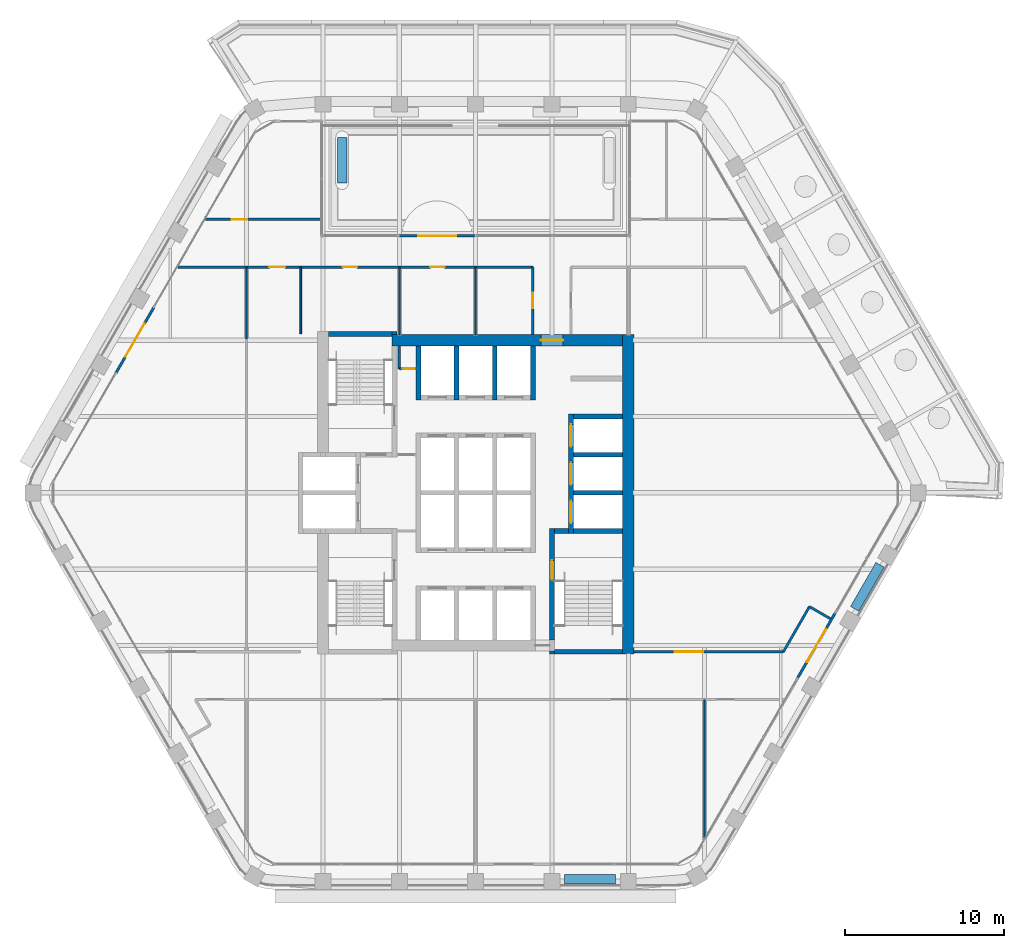
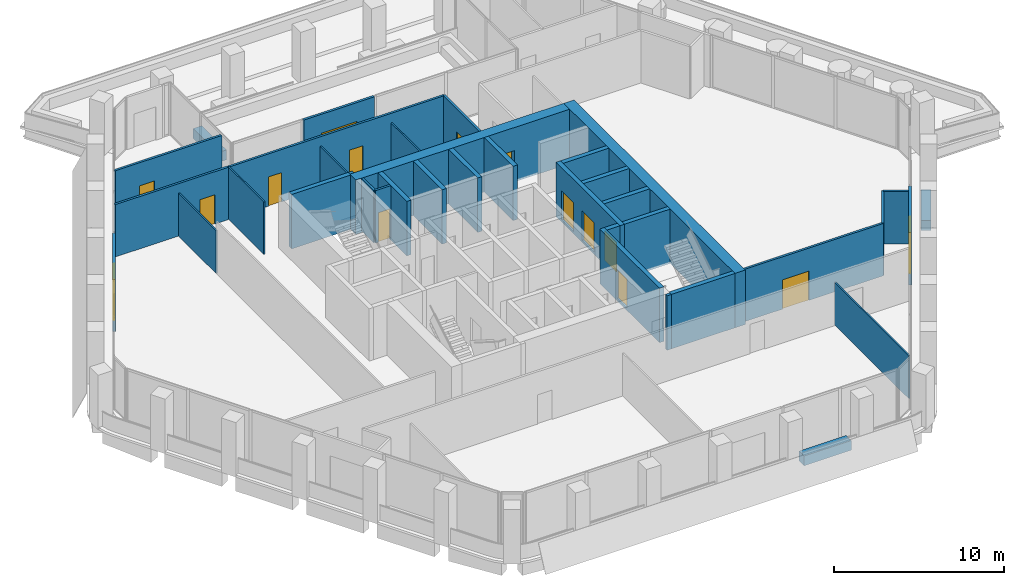
# One storey, part 13 of 17: 36 walls, 15 doors, 15 openings.
"""IFC4 building model written with IfcOpenShell, lengths in metres."""

from ifc_helpers import new_model, si_unit, direction, frame, frame_2d, origin, place, context, subcontext, project, spatial, rectangle, extrude, material, layer, layer_set, type_object, element, fill, save


model = new_model("IFC4")

# Units and contexts
model_context = context("Model", 3, precision=1e-05, world=origin(), true_north=direction((0.0, 1.0)))
body_context = subcontext(model_context, "Body", "Model", "MODEL_VIEW")
ifc_project = project(units=[si_unit("LENGTHUNIT", "METRE"), si_unit("AREAUNIT", "SQUARE_METRE"), si_unit("VOLUMEUNIT", "CUBIC_METRE"), si_unit("PLANEANGLEUNIT", "RADIAN"), si_unit("MASSUNIT", "GRAM", prefix="KILO")], contexts=[model_context])

# Site, building, storey
site_placement = place(None, origin())
site = spatial("IfcSite", under=ifc_project, at=site_placement, CompositionType="ELEMENT")
building_placement = place(site_placement, origin())
building = spatial("IfcBuilding", under=site, at=building_placement, Name="Kolab Exchange Tower", CompositionType="ELEMENT")
storey_placement = place(building_placement, frame((0.0, 0.0, 166.10009765625)))
storey = spatial("IfcBuildingStorey", under=building, at=storey_placement, Name="L34", CompositionType="ELEMENT", Elevation=166.10009765625)

# Wall, opening, door
ifc_material_1 = material(Name="Concrete C60/75", Category="concrete")
ifc_layer_1 = layer(ifc_material_1, 0.699951171875)
ifc_layer_set_1 = layer_set([ifc_layer_1], Name="Concrete C60/75")
wall_type_1 = type_object("IfcWallType", Name="CORE WALL 700 C60/75", PredefinedType="SHEAR", material=ifc_layer_set_1)
wall_1_placement = place(storey_placement, frame((-5.25, 9.60009765625, -0.150146484375), z_axis=(0.0, 0.0, 1.0), x_axis=(1.0, 0.0, 0.0)))
wall_1 = element("IfcWall", 1, at=wall_1_placement, inside=storey, type_object=wall_type_1, Name="wall/L34/core/031", PredefinedType="SHEAR", context=body_context, shape_type="SweptSolid", body=[
    extrude(rectangle(XDim=14.5, YDim=0.699951171875, at=frame_2d((7.25, 0.0))), origin(), (0.0, 0.0, 1.0), 3.900146484375),
])
opening_1_placement = place(wall_1_placement, frame((9.35009765625, 0.0, 0.14990234375)))
opening_1 = element("IfcOpeningElement", 2, at=opening_1_placement, cuts=wall_1, Name="Opening D5-010", PredefinedType="OPENING", context=body_context, shape_type="SweptSolid", body=[
    extrude(rectangle(XDim=1.39990234375, YDim=2.10009765625, at=frame_2d((0.699951171875, 1.050048828125))), frame((0.0, 0.35986328125, 0.0), z_axis=(0.0, -1.0, 0.0), x_axis=(1.0, 0.0, 0.0)), (0.0, 0.0, 1.0), 0.719970703125),
])
ifc_material_2 = material(Name="Steel S235", Category="steel")
door_type_1 = type_object("IfcDoorType", Name="CORE DOOR 1400 EI 120", OperationType="DOUBLE_DOOR_SINGLE_SWING", PredefinedType="DOOR", material=ifc_material_2)
door_1_placement = place(opening_1_placement, frame((1.39990234375, 0.0, 0.0), z_axis=(0.0, 0.0, 1.0), x_axis=(-1.0, 0.0, 0.0)))
door_1 = element("IfcDoor", 3, at=door_1_placement, inside=storey, type_object=door_type_1, Name="Core lobby door", OperationType="SINGLE_SWING_LEFT", OverallHeight=2.10009765625, OverallWidth=1.39990234375, PredefinedType="DOOR", context=body_context, shape_type="SweptSolid", body=[
    extrude(rectangle(XDim=1.39990234375, YDim=2.10009765625, at=frame_2d((0.699951171875, 1.050048828125))), frame((0.0, 0.02490234375, 0.0), z_axis=(0.0, -1.0, 0.0), x_axis=(1.0, 0.0, 0.0)), (0.0, 0.0, 1.0), 0.050048828125),
])
fill(opening_1, door_1)

# Wall
wall_2_placement = place(storey_placement, frame((9.60009765625, -10.14990234375, -0.150146484375), z_axis=(0.0, 0.0, 1.0), x_axis=(0.0, 1.0, 0.0)))
element("IfcWall", 4, at=wall_2_placement, inside=storey, type_object=wall_type_1, Name="wall/L34/core/058", PredefinedType="SHEAR", context=body_context, shape_type="SweptSolid", body=[
    extrude(rectangle(XDim=20.099853515625, YDim=0.699951171875, at=frame_2d((10.0498046875, 0.0))), origin(), (0.0, 0.0, 1.0), 3.900146484375),
])

# Wall, opening, door
ifc_material_3 = material(Name="Aluminium EN AW-6063 T6", Category="aluminium")
ifc_layer_2 = layer(ifc_material_3, 0.159912109375)
ifc_layer_set_2 = layer_set([ifc_layer_2], Name="Aluminium EN AW-6063 T6")
wall_type_2 = type_object("IfcWallType", Name="DOOR SURROUND WALL 160 ALUMINIUM FRAMED", PredefinedType="PARTITIONING", material=ifc_layer_set_2)
wall_3_placement = place(storey_placement, frame((-4.81005859375, 16.16162109375, 0.0), z_axis=(0.0, 0.0, 1.0), x_axis=(1.0, 0.0, 0.0)))
wall_3 = element("IfcWall", 5, at=wall_3_placement, inside=storey, type_object=wall_type_2, Name="Door surround wall", PredefinedType="PARTITIONING", context=body_context, shape_type="SweptSolid", body=[
    extrude(rectangle(XDim=4.780029296875, YDim=0.159912109375, at=frame_2d((2.39013671875, 0.0))), origin(), (0.0, 0.0, 1.0), 3.75),
])
opening_2_placement = place(wall_3_placement, frame((1.18994140625, 0.0, 0.0)))
opening_2 = element("IfcOpeningElement", 6, at=opening_2_placement, cuts=wall_3, Name="Opening GD1-079", PredefinedType="OPENING", context=body_context, shape_type="SweptSolid", body=[
    extrude(rectangle(XDim=2.39990234375, YDim=2.39990234375, at=frame_2d((1.199951171875, 1.199951171875))), frame((0.0, 0.08984375, 0.0), z_axis=(0.0, -1.0, 0.0), x_axis=(1.0, 0.0, 0.0)), (0.0, 0.0, 1.0), 0.179931640625),
])
door_type_2 = type_object("IfcDoorType", Name="LOGGIA SLIDING GLASS DOOR 2400 X 2400", OperationType="DOUBLE_DOOR_SINGLE_SWING", PredefinedType="DOOR", material=ifc_material_3)
door_2_placement = place(opening_2_placement, origin())
door_2 = element("IfcDoor", 7, at=door_2_placement, inside=storey, type_object=door_type_2, Name="Loggia door", OperationType="DOUBLE_DOOR_SLIDING", OverallHeight=2.39990234375, OverallWidth=2.39990234375, PredefinedType="DOOR", context=body_context, shape_type="SweptSolid", body=[
    extrude(rectangle(XDim=2.39990234375, YDim=2.39990234375, at=frame_2d((1.199951171875, 1.199951171875))), frame((0.0, 0.02490234375, 0.0), z_axis=(0.0, -1.0, 0.0), x_axis=(1.0, 0.0, 0.0)), (0.0, 0.0, 1.0), 0.050048828125),
])
fill(opening_2, door_2)

wall_4_placement = place(storey_placement, frame((22.61669921875, -7.5498046875, 0.0), z_axis=(0.0, 0.0, 1.0), x_axis=(-0.5000167099, -0.866015756104, 0.0)))
wall_4 = element("IfcWall", 8, at=wall_4_placement, inside=storey, type_object=wall_type_2, Name="Door surround wall", PredefinedType="PARTITIONING", context=body_context, shape_type="SweptSolid", body=[
    extrude(rectangle(XDim=4.739990234375, YDim=0.159912109375, at=frame_2d((2.3701171875, 0.0))), origin(), (0.0, 0.0, 1.0), 3.75),
])
opening_3_placement = place(wall_4_placement, frame((1.169921875, 0.0, 0.0)))
opening_3 = element("IfcOpeningElement", 9, at=opening_3_placement, cuts=wall_4, Name="Opening GD1-066", PredefinedType="OPENING", context=body_context, shape_type="SweptSolid", body=[
    extrude(rectangle(XDim=2.39990234375, YDim=2.39990234375, at=frame_2d((1.199951171875, 1.199951171875))), frame((0.0, 0.08984375, 0.0), z_axis=(0.0, -1.0, 0.0), x_axis=(1.0, 0.0, 0.0)), (0.0, 0.0, 1.0), 0.179931640625),
])
door_3_placement = place(opening_3_placement, origin())
door_3 = element("IfcDoor", 10, at=door_3_placement, inside=storey, type_object=door_type_2, Name="Loggia door", OperationType="DOUBLE_DOOR_SLIDING", OverallHeight=2.39990234375, OverallWidth=2.39990234375, PredefinedType="DOOR", context=body_context, shape_type="SweptSolid", body=[
    extrude(rectangle(XDim=2.39990234375, YDim=2.39990234375, at=frame_2d((1.199951171875, 1.199951171875))), frame((0.0, 0.02490234375, 0.0), z_axis=(0.0, -1.0, 0.0), x_axis=(1.0, 0.0, 0.0)), (0.0, 0.0, 1.0), 0.050048828125),
])
fill(opening_3, door_3)

wall_5_placement = place(storey_placement, frame((-22.61669921875, 7.5498046875, 0.0), z_axis=(0.0, 0.0, 1.0), x_axis=(0.5000167099, 0.866015756104, 0.0)))
wall_5 = element("IfcWall", 11, at=wall_5_placement, inside=storey, type_object=wall_type_2, Name="Door surround wall", PredefinedType="PARTITIONING", context=body_context, shape_type="SweptSolid", body=[
    extrude(rectangle(XDim=4.739990234375, YDim=0.159912109375, at=frame_2d((2.3701171875, 0.0))), origin(), (0.0, 0.0, 1.0), 3.75),
])
opening_4_placement = place(wall_5_placement, frame((1.169921875, 0.0, 0.0)))
opening_4 = element("IfcOpeningElement", 12, at=opening_4_placement, cuts=wall_5, Name="Opening GD1-069", PredefinedType="OPENING", context=body_context, shape_type="SweptSolid", body=[
    extrude(rectangle(XDim=2.39990234375, YDim=2.39990234375, at=frame_2d((1.199951171875, 1.199951171875))), frame((0.0, 0.08984375, 0.0), z_axis=(0.0, -1.0, 0.0), x_axis=(1.0, 0.0, 0.0)), (0.0, 0.0, 1.0), 0.179931640625),
])
door_4_placement = place(opening_4_placement, origin())
door_4 = element("IfcDoor", 13, at=door_4_placement, inside=storey, type_object=door_type_2, Name="Loggia door", OperationType="DOUBLE_DOOR_SLIDING", OverallHeight=2.39990234375, OverallWidth=2.39990234375, PredefinedType="DOOR", context=body_context, shape_type="SweptSolid", body=[
    extrude(rectangle(XDim=2.39990234375, YDim=2.39990234375, at=frame_2d((1.199951171875, 1.199951171875))), frame((0.0, 0.02490234375, 0.0), z_axis=(0.0, -1.0, 0.0), x_axis=(1.0, 0.0, 0.0)), (0.0, 0.0, 1.0), 0.050048828125),
])
fill(opening_4, door_4)

# Walls
ifc_material_4 = material(Name="Concrete C50/60", Category="concrete")
ifc_layer_3 = layer(ifc_material_4, 0.300048828125)
ifc_layer_set_3 = layer_set([ifc_layer_3], Name="Concrete C50/60")
wall_type_3 = type_object("IfcWallType", Name="LIFT SHAFT WALL 300 C50/60", PredefinedType="STANDARD", material=ifc_layer_set_3)
for number, where, z_axis, x_axis, name in (
    (14, (6.14990234375, 0.0, -0.150146484375), (0.0, 0.0, 1.0), (1.0, 0.0, 0.0), "wall/L34/core/018"),
    (15, (6.14990234375, 2.39990234375, -0.150146484375), (0.0, 0.0, 1.0), (1.0, 0.0, 0.0), "wall/L34/core/022"),
    (16, (6.14990234375, 4.800048828125, -0.150146484375), (0.0, 0.0, 1.0), (1.0, 0.0, 0.0), "wall/L34/core/026"),
):
    element("IfcWall", number, at=place(storey_placement, frame(where, z_axis=z_axis, x_axis=x_axis)), inside=storey, type_object=wall_type_3, Name=name, PredefinedType="STANDARD", context=body_context, shape_type="SweptSolid", body=[
        extrude(rectangle(XDim=3.10009765625, YDim=0.300048828125, at=frame_2d((1.550048828125, 0.0))), origin(), (0.0, 0.0, 1.0), 3.900146484375),
    ])
for number, where, z_axis, x_axis, name in (
    (17, (-3.60009765625, 5.85009765625, -0.150146484375), (0.0, 0.0, 1.0), (0.0, 1.0, 0.0), "wall/L34/core/045"),
    (18, (-1.199951171875, 5.85009765625, -0.150146484375), (0.0, 0.0, 1.0), (0.0, 1.0, 0.0), "wall/L34/core/048"),
    (19, (1.199951171875, 5.85009765625, -0.150146484375), (0.0, 0.0, 1.0), (0.0, 1.0, 0.0), "wall/L34/core/051"),
    (20, (3.60009765625, 5.85009765625, -0.150146484375), (0.0, 0.0, 1.0), (0.0, 1.0, 0.0), "wall/L34/core/054"),
):
    element("IfcWall", number, at=place(storey_placement, frame(where, z_axis=z_axis, x_axis=x_axis)), inside=storey, type_object=wall_type_3, Name=name, PredefinedType="STANDARD", context=body_context, shape_type="SweptSolid", body=[
        extrude(rectangle(XDim=3.39990234375, YDim=0.300048828125, at=frame_2d((1.699951171875, 0.0))), origin(), (0.0, 0.0, 1.0), 3.900146484375),
    ])

# Wall, openings, doors
wall_6_placement = place(storey_placement, frame((6.0, -2.550048828125, -0.150146484375), z_axis=(0.0, 0.0, 1.0), x_axis=(0.0, 1.0, 0.0)))
wall_6 = element("IfcWall", 21, at=wall_6_placement, inside=storey, type_object=wall_type_3, Name="wall/L34/core/057", PredefinedType="STANDARD", context=body_context, shape_type="SweptSolid", body=[
    extrude(rectangle(XDim=7.5, YDim=0.300048828125, at=frame_2d((3.75, 0.0))), origin(), (0.0, 0.0, 1.0), 3.900146484375),
])
opening_5_placement = place(wall_6_placement, frame((0.64990234375, 0.0, 0.14990234375)))
opening_5 = element("IfcOpeningElement", 22, at=opening_5_placement, cuts=wall_6, Name="Opening LD3-037", PredefinedType="OPENING", context=body_context, shape_type="SweptSolid", body=[
    extrude(rectangle(XDim=1.39990234375, YDim=2.10009765625, at=frame_2d((0.699951171875, 1.050048828125))), frame((0.0, 0.16015625, 0.0), z_axis=(0.0, -1.0, 0.0), x_axis=(1.0, 0.0, 0.0)), (0.0, 0.0, 1.0), 0.320068359375),
])
opening_6_placement = place(wall_6_placement, frame((3.050048828125, 0.0, 0.14990234375)))
opening_6 = element("IfcOpeningElement", 23, at=opening_6_placement, cuts=wall_6, Name="Opening LD3-038", PredefinedType="OPENING", context=body_context, shape_type="SweptSolid", body=[
    extrude(rectangle(XDim=1.39990234375, YDim=2.10009765625, at=frame_2d((0.699951171875, 1.050048828125))), frame((0.0, 0.16015625, 0.0), z_axis=(0.0, -1.0, 0.0), x_axis=(1.0, 0.0, 0.0)), (0.0, 0.0, 1.0), 0.320068359375),
])
opening_7_placement = place(wall_6_placement, frame((5.449951171875, 0.0, 0.14990234375)))
opening_7 = element("IfcOpeningElement", 24, at=opening_7_placement, cuts=wall_6, Name="Opening LD3-039", PredefinedType="OPENING", context=body_context, shape_type="SweptSolid", body=[
    extrude(rectangle(XDim=1.39990234375, YDim=2.10009765625, at=frame_2d((0.699951171875, 1.050048828125))), frame((0.0, 0.16015625, 0.0), z_axis=(0.0, -1.0, 0.0), x_axis=(1.0, 0.0, 0.0)), (0.0, 0.0, 1.0), 0.320068359375),
])
ifc_material_5 = material(Name="Stainless steel 316", Category="steel")
door_type_3 = type_object("IfcDoorType", Name="LANDING DOOR 1400 SERVICE", OperationType="DOUBLE_DOOR_SLIDING", PredefinedType="DOOR", material=ifc_material_5)
door_5_placement = place(opening_5_placement, origin())
door_5 = element("IfcDoor", 25, at=door_5_placement, inside=storey, type_object=door_type_3, Name="Landing door SV1", OperationType="DOUBLE_DOOR_SLIDING", OverallHeight=2.10009765625, OverallWidth=1.39990234375, PredefinedType="DOOR", context=body_context, shape_type="SweptSolid", body=[
    extrude(rectangle(XDim=1.39990234375, YDim=2.10009765625, at=frame_2d((0.699951171875, 1.050048828125))), frame((0.0, 0.02490234375, 0.0), z_axis=(0.0, -1.0, 0.0), x_axis=(1.0, 0.0, 0.0)), (0.0, 0.0, 1.0), 0.050048828125),
])
fill(opening_5, door_5)
door_6_placement = place(opening_6_placement, origin())
door_6 = element("IfcDoor", 26, at=door_6_placement, inside=storey, type_object=door_type_3, Name="Landing door SV2", OperationType="DOUBLE_DOOR_SLIDING", OverallHeight=2.10009765625, OverallWidth=1.39990234375, PredefinedType="DOOR", context=body_context, shape_type="SweptSolid", body=[
    extrude(rectangle(XDim=1.39990234375, YDim=2.10009765625, at=frame_2d((0.699951171875, 1.050048828125))), frame((0.0, 0.02490234375, 0.0), z_axis=(0.0, -1.0, 0.0), x_axis=(1.0, 0.0, 0.0)), (0.0, 0.0, 1.0), 0.050048828125),
])
fill(opening_6, door_6)
door_7_placement = place(opening_7_placement, origin())
door_7 = element("IfcDoor", 27, at=door_7_placement, inside=storey, type_object=door_type_3, Name="Landing door SV3", OperationType="DOUBLE_DOOR_SLIDING", OverallHeight=2.10009765625, OverallWidth=1.39990234375, PredefinedType="DOOR", context=body_context, shape_type="SweptSolid", body=[
    extrude(rectangle(XDim=1.39990234375, YDim=2.10009765625, at=frame_2d((0.699951171875, 1.050048828125))), frame((0.0, 0.02490234375, 0.0), z_axis=(0.0, -1.0, 0.0), x_axis=(1.0, 0.0, 0.0)), (0.0, 0.0, 1.0), 0.050048828125),
])
fill(opening_7, door_7)

# Walls
ifc_material_6 = material(Name="Gypsum board", Category="gypsum")
ifc_layer_4 = layer(ifc_material_6, 0.10009765625)
ifc_layer_set_4 = layer_set([ifc_layer_4], Name="Gypsum board")
wall_type_4 = type_object("IfcWallType", Name="PARTITION 100", PredefinedType="PARTITIONING", material=ifc_layer_set_4)
wall_7_placement = place(storey_placement, frame((14.39990234375, -21.701416015625, 0.0), z_axis=(0.0, 0.0, 1.0), x_axis=(0.0, 1.0, 0.0)))
element("IfcWall", 28, at=wall_7_placement, inside=storey, type_object=wall_type_4, Name="Partition 000", PredefinedType="PARTITIONING", context=body_context, shape_type="SweptSolid", body=[
    extrude(rectangle(XDim=8.701416015625, YDim=0.10009765625, at=frame_2d((4.3505859375, 0.0))), origin(), (0.0, 0.0, 1.0), 3.06591796875),
])
for number, where, z_axis, x_axis, name in (
    (29, (0.0, 9.949951171875, 0.0), (0.0, 0.0, 1.0), (0.0, 1.0, 0.0), "Partition 006"),
    (30, (-4.800048828125, 9.949951171875, 0.0), (0.0, 0.0, 1.0), (0.0, 1.0, 0.0), "Partition 007"),
):
    element("IfcWall", number, at=place(storey_placement, frame(where, z_axis=z_axis, x_axis=x_axis)), inside=storey, type_object=wall_type_4, Name=name, PredefinedType="PARTITIONING", context=body_context, shape_type="SweptSolid", body=[
        extrude(rectangle(XDim=4.25, YDim=0.10009765625, at=frame_2d((2.125, 0.0))), origin(), (0.0, 0.0, 1.0), 3.06591796875),
    ])
wall_8_placement = place(storey_placement, frame((-11.0, 10.0, 0.0), z_axis=(0.0, 0.0, 1.0), x_axis=(0.0, 1.0, 0.0)))
element("IfcWall", 31, at=wall_8_placement, inside=storey, type_object=wall_type_4, Name="Partition 009", PredefinedType="PARTITIONING", context=body_context, shape_type="SweptSolid", body=[
    extrude(rectangle(XDim=4.199951171875, YDim=0.10009765625, at=frame_2d((2.10009765625, 0.0))), origin(), (0.0, 0.0, 1.0), 3.75),
])
wall_9_placement = place(storey_placement, frame((-14.39990234375, 9.693603515625, 0.0), z_axis=(0.0, 0.0, 1.0), x_axis=(0.0, 1.0, 0.0)))
element("IfcWall", 32, at=wall_9_placement, inside=storey, type_object=wall_type_4, Name="Partition 011", PredefinedType="PARTITIONING", context=body_context, shape_type="SweptSolid", body=[
    extrude(rectangle(XDim=4.50634765625, YDim=0.10009765625, at=frame_2d((2.253173828125, 0.0))), origin(), (0.0, 0.0, 1.0), 3.06591796875),
])

# Wall, opening, door
ifc_layer_5 = layer(ifc_material_6, 0.14990234375)
ifc_layer_set_5 = layer_set([ifc_layer_5], Name="Gypsum board")
wall_type_5 = type_object("IfcWallType", Name="PARTITION 150 FIRE-RATED", PredefinedType="PARTITIONING", material=ifc_layer_set_5)
wall_10_placement = place(storey_placement, frame((3.60009765625, 9.949951171875, 0.0), z_axis=(0.0, 0.0, 1.0), x_axis=(0.0, 1.0, 0.0)))
wall_10 = element("IfcWall", 33, at=wall_10_placement, inside=storey, type_object=wall_type_5, Name="Partition 004", PredefinedType="PARTITIONING", context=body_context, shape_type="SweptSolid", body=[
    extrude(rectangle(XDim=4.25, YDim=0.14990234375, at=frame_2d((2.125, 0.0))), origin(), (0.0, 0.0, 1.0), 3.75),
])
opening_8_placement = place(wall_10_placement, frame((1.64990234375, 0.0, 0.0)))
opening_8 = element("IfcOpeningElement", 34, at=opening_8_placement, cuts=wall_10, Name="Opening D1-464", PredefinedType="OPENING", context=body_context, shape_type="SweptSolid", body=[
    extrude(rectangle(XDim=1.0, YDim=2.10009765625, at=frame_2d((0.5, 1.050048828125))), frame((0.0, 0.0849609375, 0.0), z_axis=(0.0, -1.0, 0.0), x_axis=(1.0, 0.0, 0.0)), (0.0, 0.0, 1.0), 0.169921875),
])
door_type_4 = type_object("IfcDoorType", Name="FLUSH DOOR 1000 FD60", OperationType="SINGLE_SWING_LEFT", PredefinedType="DOOR", material=ifc_material_2)
door_8_placement = place(opening_8_placement, origin())
door_8 = element("IfcDoor", 35, at=door_8_placement, inside=storey, type_object=door_type_4, Name="Door L34-032", OperationType="SINGLE_SWING_LEFT", OverallHeight=2.10009765625, OverallWidth=1.0, PredefinedType="DOOR", context=body_context, shape_type="SweptSolid", body=[
    extrude(rectangle(XDim=1.0, YDim=2.10009765625, at=frame_2d((0.5, 1.050048828125))), frame((0.0, 0.02490234375, 0.0), z_axis=(0.0, -1.0, 0.0), x_axis=(1.0, 0.0, 0.0)), (0.0, 0.0, 1.0), 0.050048828125),
])
fill(opening_8, door_8)

# Walls
wall_11_placement = place(storey_placement, frame((-4.800048828125, 7.800048828125, 0.0), z_axis=(0.0, 0.0, 1.0), x_axis=(0.0, 1.0, 0.0)))
element("IfcWall", 36, at=wall_11_placement, inside=storey, type_object=wall_type_5, Name="Partition 008", PredefinedType="PARTITIONING", context=body_context, shape_type="SweptSolid", body=[
    extrude(rectangle(XDim=1.449951171875, YDim=0.14990234375, at=frame_2d((0.72509765625, 0.0))), origin(), (0.0, 0.0, 1.0), 3.75),
])
wall_12_placement = place(storey_placement, frame((19.3544921875, -10.0, 0.0), z_axis=(0.0, 0.0, 1.0), x_axis=(0.500009969958, 0.86601964755, 0.0)))
element("IfcWall", 37, at=wall_12_placement, inside=storey, type_object=wall_type_5, Name="Partition 014", PredefinedType="PARTITIONING", context=body_context, shape_type="SweptSolid", body=[
    extrude(rectangle(XDim=3.283203125, YDim=0.14990234375, at=frame_2d((1.6416015625, 0.0))), origin(), (0.0, 0.0, 1.0), 3.75),
])
wall_13_placement = place(storey_placement, frame((20.99609375, -7.15673828125, 0.0), z_axis=(0.0, 0.0, 1.0), x_axis=(0.865960906633, -0.500111695708, 0.0)))
element("IfcWall", 38, at=wall_13_placement, inside=storey, type_object=wall_type_5, Name="Partition 015", PredefinedType="PARTITIONING", context=body_context, shape_type="SweptSolid", body=[
    extrude(rectangle(XDim=1.520263671875, YDim=0.14990234375, at=frame_2d((0.76025390625, 0.0))), origin(), (0.0, 0.0, 1.0), 3.75),
])

# Wall, opening, door
wall_14_placement = place(storey_placement, frame((9.949951171875, -10.0, 0.0), z_axis=(0.0, 0.0, 1.0), x_axis=(1.0, 0.0, 0.0)))
wall_14 = element("IfcWall", 39, at=wall_14_placement, inside=storey, type_object=wall_type_5, Name="Partition 020", PredefinedType="PARTITIONING", context=body_context, shape_type="SweptSolid", body=[
    extrude(rectangle(XDim=9.404541015625, YDim=0.14990234375, at=frame_2d((4.7021484375, 0.0))), origin(), (0.0, 0.0, 1.0), 3.75),
])
opening_9_placement = place(wall_14_placement, frame((2.569091796875, 0.0, 0.0)))
opening_9 = element("IfcOpeningElement", 40, at=opening_9_placement, cuts=wall_14, Name="Opening D2-048", PredefinedType="OPENING", context=body_context, shape_type="SweptSolid", body=[
    extrude(rectangle(XDim=1.800048828125, YDim=2.10009765625, at=frame_2d((0.89990234375, 1.050048828125))), frame((0.0, 0.0849609375, 0.0), z_axis=(0.0, -1.0, 0.0), x_axis=(1.0, 0.0, 0.0)), (0.0, 0.0, 1.0), 0.169921875),
])
door_type_5 = type_object("IfcDoorType", Name="DOUBLE DOOR 1800 FD60", OperationType="DOUBLE_DOOR_SINGLE_SWING", PredefinedType="DOOR", material=ifc_material_2)
door_9_placement = place(opening_9_placement, origin())
door_9 = element("IfcDoor", 41, at=door_9_placement, inside=storey, type_object=door_type_5, Name="Door L34-040", OperationType="SINGLE_SWING_LEFT", OverallHeight=2.10009765625, OverallWidth=1.800048828125, PredefinedType="DOOR", context=body_context, shape_type="SweptSolid", body=[
    extrude(rectangle(XDim=1.800048828125, YDim=2.10009765625, at=frame_2d((0.89990234375, 1.050048828125))), frame((0.0, 0.02490234375, 0.0), z_axis=(0.0, -1.0, 0.0), x_axis=(1.0, 0.0, 0.0)), (0.0, 0.0, 1.0), 0.050048828125),
])
fill(opening_9, door_9)

wall_15_placement = place(storey_placement, frame((-4.800048828125, 7.800048828125, 0.0), z_axis=(0.0, 0.0, 1.0), x_axis=(1.0, 0.0, 0.0)))
wall_15 = element("IfcWall", 42, at=wall_15_placement, inside=storey, type_object=wall_type_5, Name="Partition 021", PredefinedType="PARTITIONING", context=body_context, shape_type="SweptSolid", body=[
    extrude(rectangle(XDim=1.050048828125, YDim=0.14990234375, at=frame_2d((0.52490234375, 0.0))), origin(), (0.0, 0.0, 1.0), 3.75),
])
opening_10_placement = place(wall_15_placement, frame((0.199951171875, 0.0, 0.0)))
opening_10 = element("IfcOpeningElement", 43, at=opening_10_placement, cuts=wall_15, Name="Opening D7-030", PredefinedType="OPENING", context=body_context, shape_type="SweptSolid", body=[
    extrude(rectangle(XDim=0.800048828125, YDim=2.10009765625, at=frame_2d((0.39990234375, 1.050048828125))), frame((0.0, 0.0849609375, 0.0), z_axis=(0.0, -1.0, 0.0), x_axis=(1.0, 0.0, 0.0)), (0.0, 0.0, 1.0), 0.169921875),
])
door_type_6 = type_object("IfcDoorType", Name="FLUSH DOOR 800 FD60", OperationType="SINGLE_SWING_LEFT", PredefinedType="DOOR", material=ifc_material_2)
door_10_placement = place(opening_10_placement, origin())
door_10 = element("IfcDoor", 44, at=door_10_placement, inside=storey, type_object=door_type_6, Name="Door L34-023", OperationType="SINGLE_SWING_RIGHT", OverallHeight=2.10009765625, OverallWidth=0.800048828125, PredefinedType="DOOR", context=body_context, shape_type="SweptSolid", body=[
    extrude(rectangle(XDim=0.800048828125, YDim=2.10009765625, at=frame_2d((0.39990234375, 1.050048828125))), frame((0.0, 0.02490234375, 0.0), z_axis=(0.0, -1.0, 0.0), x_axis=(1.0, 0.0, 0.0)), (0.0, 0.0, 1.0), 0.050048828125),
])
fill(opening_10, door_10)

# Wall, openings, doors
wall_16_placement = place(storey_placement, frame((-18.73095703125, 14.199951171875, 0.0), z_axis=(0.0, 0.0, 1.0), x_axis=(1.0, 0.0, 0.0)))
wall_16 = element("IfcWall", 45, at=wall_16_placement, inside=storey, type_object=wall_type_5, Name="Partition 022", PredefinedType="PARTITIONING", context=body_context, shape_type="SweptSolid", body=[
    extrude(rectangle(XDim=22.3310546875, YDim=0.14990234375, at=frame_2d((11.16552734375, 0.0))), origin(), (0.0, 0.0, 1.0), 3.75),
])
opening_11_placement = place(wall_16_placement, frame((10.381103515625, 0.0, 0.0)))
opening_11 = element("IfcOpeningElement", 46, at=opening_11_placement, cuts=wall_16, Name="Opening D3-049", PredefinedType="OPENING", context=body_context, shape_type="SweptSolid", body=[
    extrude(rectangle(XDim=0.89990234375, YDim=2.10009765625, at=frame_2d((0.449951171875, 1.050048828125))), frame((0.0, 0.0849609375, 0.0), z_axis=(0.0, -1.0, 0.0), x_axis=(1.0, 0.0, 0.0)), (0.0, 0.0, 1.0), 0.169921875),
])
opening_12_placement = place(wall_16_placement, frame((15.881103515625, 0.0, 0.0)))
opening_12 = element("IfcOpeningElement", 47, at=opening_12_placement, cuts=wall_16, Name="Opening D3-050", PredefinedType="OPENING", context=body_context, shape_type="SweptSolid", body=[
    extrude(rectangle(XDim=0.89990234375, YDim=2.10009765625, at=frame_2d((0.449951171875, 1.050048828125))), frame((0.0, 0.0849609375, 0.0), z_axis=(0.0, -1.0, 0.0), x_axis=(1.0, 0.0, 0.0)), (0.0, 0.0, 1.0), 0.169921875),
])
opening_13_placement = place(wall_16_placement, frame((5.756103515625, 0.0, 0.0)))
opening_13 = element("IfcOpeningElement", 48, at=opening_13_placement, cuts=wall_16, Name="Opening D1-472", PredefinedType="OPENING", context=body_context, shape_type="SweptSolid", body=[
    extrude(rectangle(XDim=1.0, YDim=2.10009765625, at=frame_2d((0.5, 1.050048828125))), frame((0.0, 0.0849609375, 0.0), z_axis=(0.0, -1.0, 0.0), x_axis=(1.0, 0.0, 0.0)), (0.0, 0.0, 1.0), 0.169921875),
])
door_11_placement = place(opening_13_placement, frame((1.0, 0.0, 0.0), z_axis=(0.0, 0.0, 1.0), x_axis=(-1.0, 0.0, 0.0)))
door_11 = element("IfcDoor", 49, at=door_11_placement, inside=storey, type_object=door_type_4, Name="Door L34-042", OperationType="SINGLE_SWING_RIGHT", OverallHeight=2.10009765625, OverallWidth=1.0, PredefinedType="DOOR", context=body_context, shape_type="SweptSolid", body=[
    extrude(rectangle(XDim=1.0, YDim=2.10009765625, at=frame_2d((0.5, 1.050048828125))), frame((0.0, 0.02490234375, 0.0), z_axis=(0.0, -1.0, 0.0), x_axis=(1.0, 0.0, 0.0)), (0.0, 0.0, 1.0), 0.050048828125),
])
fill(opening_13, door_11)
door_type_7 = type_object("IfcDoorType", Name="FLUSH DOOR 900 FD60", OperationType="SINGLE_SWING_LEFT", PredefinedType="DOOR", material=ifc_material_2)
door_12_placement = place(opening_11_placement, frame((0.89990234375, 0.0, 0.0), z_axis=(0.0, 0.0, 1.0), x_axis=(-1.0, 0.0, 0.0)))
door_12 = element("IfcDoor", 50, at=door_12_placement, inside=storey, type_object=door_type_7, Name="Door L34-030", OperationType="SINGLE_SWING_LEFT", OverallHeight=2.10009765625, OverallWidth=0.89990234375, PredefinedType="DOOR", context=body_context, shape_type="SweptSolid", body=[
    extrude(rectangle(XDim=0.89990234375, YDim=2.10009765625, at=frame_2d((0.449951171875, 1.050048828125))), frame((0.0, 0.02490234375, 0.0), z_axis=(0.0, -1.0, 0.0), x_axis=(1.0, 0.0, 0.0)), (0.0, 0.0, 1.0), 0.050048828125),
])
fill(opening_11, door_12)
door_13_placement = place(opening_12_placement, frame((0.89990234375, 0.0, 0.0), z_axis=(0.0, 0.0, 1.0), x_axis=(-1.0, 0.0, 0.0)))
door_13 = element("IfcDoor", 51, at=door_13_placement, inside=storey, type_object=door_type_7, Name="Door L34-031", OperationType="SINGLE_SWING_LEFT", OverallHeight=2.10009765625, OverallWidth=0.89990234375, PredefinedType="DOOR", context=body_context, shape_type="SweptSolid", body=[
    extrude(rectangle(XDim=0.89990234375, YDim=2.10009765625, at=frame_2d((0.449951171875, 1.050048828125))), frame((0.0, 0.02490234375, 0.0), z_axis=(0.0, -1.0, 0.0), x_axis=(1.0, 0.0, 0.0)), (0.0, 0.0, 1.0), 0.050048828125),
])
fill(opening_12, door_13)

# Wall, opening, door
wall_17_placement = place(storey_placement, frame((-16.9990234375, 17.199951171875, 0.0), z_axis=(0.0, 0.0, 1.0), x_axis=(1.0, 0.0, 0.0)))
wall_17 = element("IfcWall", 52, at=wall_17_placement, inside=storey, type_object=wall_type_5, Name="Partition 024", PredefinedType="PARTITIONING", context=body_context, shape_type="SweptSolid", body=[
    extrude(rectangle(XDim=7.22900390625, YDim=0.14990234375, at=frame_2d((3.614501953125, 0.0))), origin(), (0.0, 0.0, 1.0), 3.75),
])
opening_14_placement = place(wall_17_placement, frame((1.64599609375, 0.0, 0.0)))
opening_14 = element("IfcOpeningElement", 53, at=opening_14_placement, cuts=wall_17, Name="Opening D1-465", PredefinedType="OPENING", context=body_context, shape_type="SweptSolid", body=[
    extrude(rectangle(XDim=1.0, YDim=2.10009765625, at=frame_2d((0.5, 1.050048828125))), frame((0.0, 0.0849609375, 0.0), z_axis=(0.0, -1.0, 0.0), x_axis=(1.0, 0.0, 0.0)), (0.0, 0.0, 1.0), 0.169921875),
])
door_14_placement = place(opening_14_placement, origin())
door_14 = element("IfcDoor", 54, at=door_14_placement, inside=storey, type_object=door_type_4, Name="Door L34-033", OperationType="SINGLE_SWING_LEFT", OverallHeight=2.10009765625, OverallWidth=1.0, PredefinedType="DOOR", context=body_context, shape_type="SweptSolid", body=[
    extrude(rectangle(XDim=1.0, YDim=2.10009765625, at=frame_2d((0.5, 1.050048828125))), frame((0.0, 0.02490234375, 0.0), z_axis=(0.0, -1.0, 0.0), x_axis=(1.0, 0.0, 0.0)), (0.0, 0.0, 1.0), 0.050048828125),
])
fill(opening_14, door_14)

# Walls
ifc_material_7 = material(Name="Granite facing", Category="masonry")
ifc_layer_6 = layer(ifc_material_7, 0.0400390625)
ifc_material_8 = material(Name="Concrete C40/50 precast", Category="concrete")
ifc_layer_7 = layer(ifc_material_8, 0.56005859375)
ifc_layer_set_6 = layer_set([ifc_layer_6, ifc_layer_7], Name="Concrete C40/50 precast")
wall_type_6 = type_object("IfcWallType", Name="PLANTER BOX 600 X 700 SOIL DEPTH 550", PredefinedType="USERDEFINED", material=ifc_layer_set_6)
wall_18_placement = place(storey_placement, frame((25.43701171875, -4.524658203125, 0.0), z_axis=(0.0, 0.0, 1.0), x_axis=(-0.499938187974, -0.866061088033, 0.0)))
element("IfcWall", 55, at=wall_18_placement, inside=storey, type_object=wall_type_6, Name="Planter", ObjectType="PLANTER", PredefinedType="USERDEFINED", context=body_context, shape_type="SweptSolid", body=[
    extrude(rectangle(XDim=3.2001953125, YDim=0.60009765625, at=frame_2d((1.60009765625, 0.0))), origin(), (0.0, 0.0, 1.0), 0.699951171875),
])
wall_19_placement = place(storey_placement, frame((8.800048828125, -24.29150390625, 0.0), z_axis=(0.0, 0.0, 1.0), x_axis=(-1.0, 0.0, 0.0)))
element("IfcWall", 56, at=wall_19_placement, inside=storey, type_object=wall_type_6, Name="Planter", ObjectType="PLANTER", PredefinedType="USERDEFINED", context=body_context, shape_type="SweptSolid", body=[
    extrude(rectangle(XDim=3.199951171875, YDim=0.60009765625, at=frame_2d((1.60009765625, 0.0))), origin(), (0.0, 0.0, 1.0), 0.699951171875),
])
wall_20_placement = place(storey_placement, frame((-8.39990234375, 19.4814453125, 0.0), z_axis=(0.0, 0.0, 1.0), x_axis=(0.0, 1.0, 0.0)))
element("IfcWall", 57, at=wall_20_placement, inside=storey, type_object=wall_type_6, Name="Planter", ObjectType="PLANTER", PredefinedType="USERDEFINED", context=body_context, shape_type="SweptSolid", body=[
    extrude(rectangle(XDim=2.880126953125, YDim=0.60009765625, at=frame_2d((1.43994140625, 0.0))), origin(), (0.0, 0.0, 1.0), 0.699951171875),
])
ifc_layer_8 = layer(ifc_material_4, 0.300048828125)
ifc_layer_set_7 = layer_set([ifc_layer_8], Name="Concrete C50/60")
wall_type_7 = type_object("IfcWallType", Name="STAIR ENCLOSURE WALL 300 C50/60", PredefinedType="STANDARD", material=ifc_layer_set_7)
wall_21_placement = place(storey_placement, frame((4.949951171875, -10.0, -0.150146484375), z_axis=(0.0, 0.0, 1.0), x_axis=(1.0, 0.0, 0.0)))
element("IfcWall", 58, at=wall_21_placement, inside=storey, type_object=wall_type_7, Name="wall/L34/core/001", PredefinedType="STANDARD", context=body_context, shape_type="SweptSolid", body=[
    extrude(rectangle(XDim=4.300048828125, YDim=0.300048828125, at=frame_2d((2.14990234375, 0.0))), origin(), (0.0, 0.0, 1.0), 3.900146484375),
])
wall_22_placement = place(storey_placement, frame((4.949951171875, -2.39990234375, -0.150146484375), z_axis=(0.0, 0.0, 1.0), x_axis=(1.0, 0.0, 0.0)))
element("IfcWall", 59, at=wall_22_placement, inside=storey, type_object=wall_type_7, Name="wall/L34/core/012", PredefinedType="STANDARD", context=body_context, shape_type="SweptSolid", body=[
    extrude(rectangle(XDim=0.900146484375, YDim=0.300048828125, at=frame_2d((0.4501953125, 0.0))), origin(), (0.0, 0.0, 1.0), 3.900146484375),
])
wall_23_placement = place(storey_placement, frame((6.14990234375, -2.39990234375, -0.150146484375), z_axis=(0.0, 0.0, 1.0), x_axis=(1.0, 0.0, 0.0)))
element("IfcWall", 60, at=wall_23_placement, inside=storey, type_object=wall_type_7, Name="wall/L34/core/013", PredefinedType="STANDARD", context=body_context, shape_type="SweptSolid", body=[
    extrude(rectangle(XDim=3.10009765625, YDim=0.300048828125, at=frame_2d((1.550048828125, 0.0))), origin(), (0.0, 0.0, 1.0), 3.900146484375),
])
wall_24_placement = place(storey_placement, frame((-9.25, 10.0, -0.150146484375), z_axis=(0.0, 0.0, 1.0), x_axis=(1.0, 0.0, 0.0)))
element("IfcWall", 61, at=wall_24_placement, inside=storey, type_object=wall_type_7, Name="wall/L34/core/032", PredefinedType="STANDARD", context=body_context, shape_type="SweptSolid", body=[
    extrude(rectangle(XDim=4.0, YDim=0.300048828125, at=frame_2d((2.0, 0.0))), origin(), (0.0, 0.0, 1.0), 3.900146484375),
])
for number, where, z_axis, x_axis, name in (
    (62, (-5.10009765625, 9.949951171875, -0.150146484375), (0.0, 0.0, 1.0), (0.0, 1.0, 0.0), "wall/L34/core/042"),
    (63, (4.800048828125, -10.14990234375, -0.150146484375), (0.0, 0.0, 1.0), (0.0, 1.0, 0.0), "wall/L34/core/055"),
):
    element("IfcWall", number, at=place(storey_placement, frame(where, z_axis=z_axis, x_axis=x_axis)), inside=storey, type_object=wall_type_7, Name=name, PredefinedType="STANDARD", context=body_context, shape_type="SweptSolid", body=[
        extrude(rectangle(XDim=0.199951171875, YDim=0.300048828125, at=frame_2d((0.10009765625, 0.0))), origin(), (0.0, 0.0, 1.0), 3.900146484375),
    ])

# Wall, opening, door
wall_25_placement = place(storey_placement, frame((4.800048828125, -9.25, -0.150146484375), z_axis=(0.0, 0.0, 1.0), x_axis=(0.0, 1.0, 0.0)))
wall_25 = element("IfcWall", 64, at=wall_25_placement, inside=storey, type_object=wall_type_7, Name="wall/L34/core/056", PredefinedType="STANDARD", context=body_context, shape_type="SweptSolid", body=[
    extrude(rectangle(XDim=7.0, YDim=0.300048828125, at=frame_2d((3.5, 0.0))), origin(), (0.0, 0.0, 1.0), 3.900146484375),
])
opening_15_placement = place(wall_25_placement, frame((3.800048828125, 0.0, 0.14990234375)))
opening_15 = element("IfcOpeningElement", 65, at=opening_15_placement, cuts=wall_25, Name="Opening D4-067", PredefinedType="OPENING", context=body_context, shape_type="SweptSolid", body=[
    extrude(rectangle(XDim=1.199951171875, YDim=2.10009765625, at=frame_2d((0.60009765625, 1.050048828125))), frame((0.0, 0.16015625, 0.0), z_axis=(0.0, -1.0, 0.0), x_axis=(1.0, 0.0, 0.0)), (0.0, 0.0, 1.0), 0.320068359375),
])
door_type_8 = type_object("IfcDoorType", Name="STAIR DOOR 1200 EI 120", OperationType="SINGLE_SWING_LEFT", PredefinedType="DOOR", material=ifc_material_2)
door_15_placement = place(opening_15_placement, frame((1.199951171875, 0.0, 0.0), z_axis=(0.0, 0.0, 1.0), x_axis=(-1.0, 0.0, 0.0)))
door_15 = element("IfcDoor", 66, at=door_15_placement, inside=storey, type_object=door_type_8, Name="Stair 2 door", OperationType="SINGLE_SWING_RIGHT", OverallHeight=2.10009765625, OverallWidth=1.199951171875, PredefinedType="DOOR", context=body_context, shape_type="SweptSolid", body=[
    extrude(rectangle(XDim=1.199951171875, YDim=2.10009765625, at=frame_2d((0.60009765625, 1.050048828125))), frame((0.0, 0.02490234375, 0.0), z_axis=(0.0, -1.0, 0.0), x_axis=(1.0, 0.0, 0.0)), (0.0, 0.0, 1.0), 0.050048828125),
])
fill(opening_15, door_15)

save(model, "model.ifc")
